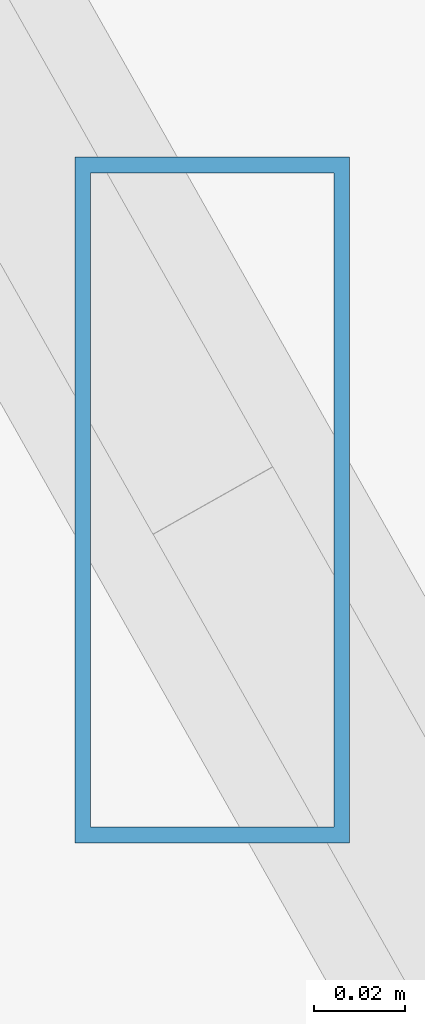
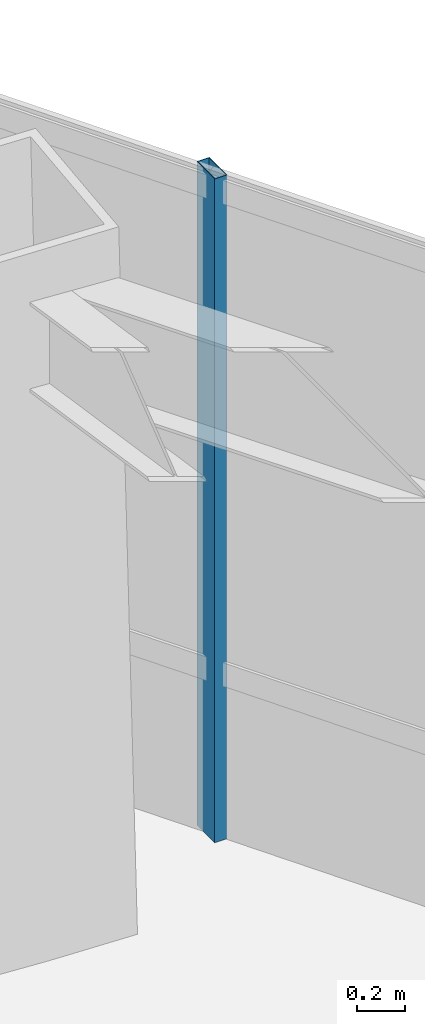
# One storey, part 32 of 42: 1 member, 1 element without a shape of its own.
"""IFC4 building model written with IfcOpenShell, lengths in metres."""

from ifc_helpers import new_model, si_unit, direction, frame, origin, origin_2d, place, context, subcontext, project, spatial, hollow_rectangle, extrude, source, transform, mapped, material, material_profile, profile_set, type_object, type_shapes, element, aggregate, save


model = new_model("IFC4")

# Units and contexts
model_context = context("Model", 3, precision=1e-05, world=origin(), true_north=direction((0.0, 1.0)))
body_context = subcontext(model_context, "Body", "Model", "MODEL_VIEW")
ifc_project = project(units=[si_unit("LENGTHUNIT", "METRE"), si_unit("AREAUNIT", "SQUARE_METRE"), si_unit("VOLUMEUNIT", "CUBIC_METRE"), si_unit("PLANEANGLEUNIT", "RADIAN"), si_unit("MASSUNIT", "GRAM", prefix="KILO")], contexts=[model_context])

# Site, building, storey
site_placement = place(None, origin())
site = spatial("IfcSite", under=ifc_project, at=site_placement, CompositionType="ELEMENT")
building_placement = place(site_placement, origin())
building = spatial("IfcBuilding", under=site, at=building_placement, Name="Caelisora Broadcast Tower", CompositionType="ELEMENT")
storey_placement = place(building_placement, frame((0.0, 0.0, 191.35009765625)))
storey = spatial("IfcBuildingStorey", under=building, at=storey_placement, Name="L50", CompositionType="ELEMENT", Elevation=191.35009765625)

# Curtain wall, member
ifc_material_1 = material(Name="Unitised Aluminium and Low-E Glass Curtain Wall", Category="glass")
curtain_wall_type = type_object("IfcCurtainWallType", Name="CW-Z4", PredefinedType="NOTDEFINED", material=ifc_material_1)
curtain_wall_placement = place(storey_placement, origin())
curtain_wall = element("IfcCurtainWall", 1, at=curtain_wall_placement, inside=storey, type_object=curtain_wall_type, Name="L50 curtain wall CW-Z4", PredefinedType="NOTDEFINED")
ifc_material_2 = material(Name="Aluminium 6063-T6 Anodised Terracotta Bronze", Category="aluminium")
ifc_material_profile = material_profile(ifc_material_2, hollow_rectangle(XDim=0.06005859375, YDim=0.14990234375, WallThickness=0.00341796875, at=origin_2d()), Name="Aluminium 6063-T6 Anodised Terracotta Bronze")
ifc_profile_set = profile_set([ifc_material_profile], Name="Aluminium 6063-T6 Anodised Terracotta Bronze")
member_type = type_object("IfcMemberType", Name="CWM-03", PredefinedType="MULLION", material=ifc_profile_set)
shared_shape = source(origin(), body_context, "Body", "SweptSolid", [
    extrude(hollow_rectangle(XDim=0.06005859375, YDim=0.14990234375, WallThickness=0.00341796875, at=origin_2d()), origin(), (0.0, 0.0, 1.0), 3.39990234375),
])
type_shapes(member_type, [shared_shape])
member_placement = place(storey_placement, frame((44.42138671875, 46.6357421875, 0.0), z_axis=(0.0, 0.0, 1.0), x_axis=(1.0, 0.0, 0.0)))
member = element("IfcMember", 2, at=member_placement, type_object=member_type, Name="L50-CW-B01 mullion #1", PredefinedType="MULLION", context=body_context, shape_type="MappedRepresentation", body=[
    mapped(shared_shape, transform((0.0, 0.0, 0.0), scale=1.0)),
])
aggregate(curtain_wall, [member])

save(model, "model.ifc")
